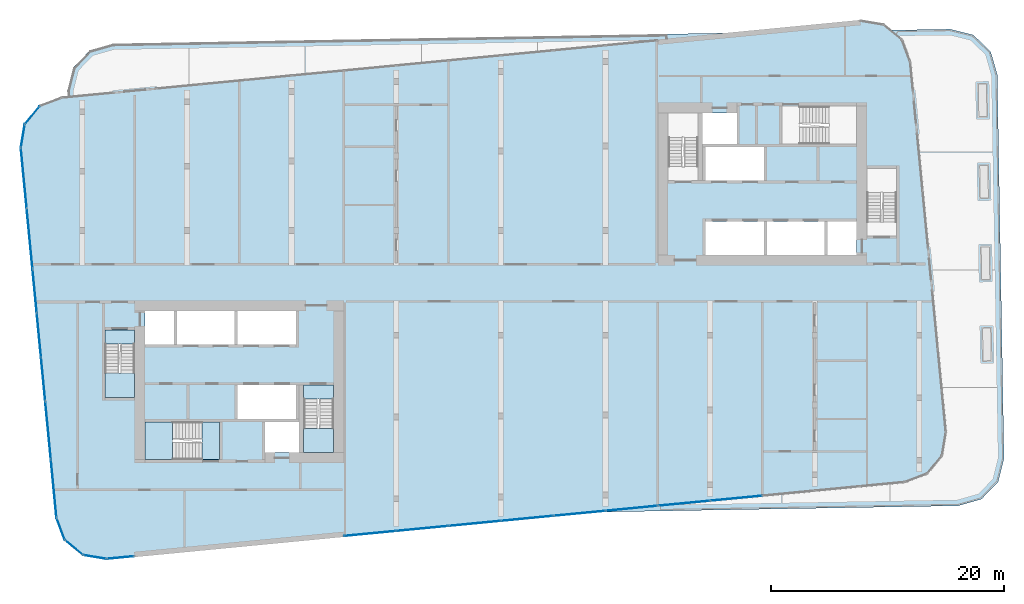
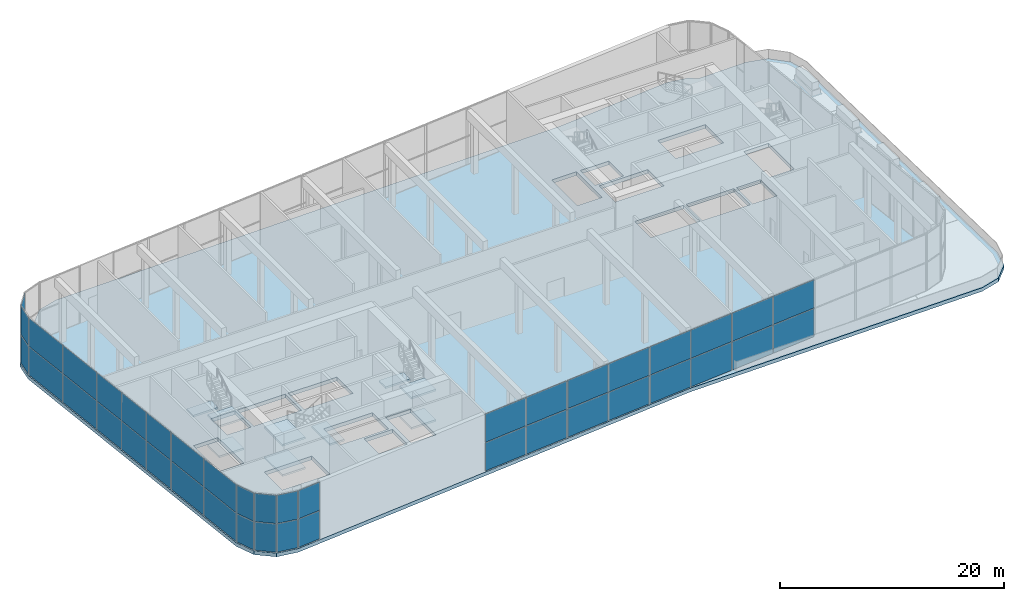
# One storey, part 9 of 24: 42 plates, 10 slabs, 16 elements without a shape of their own.
"""IFC4 building model written with IfcOpenShell, lengths in metres."""

from ifc_helpers import new_model, si_unit, direction, frame, origin, origin_2d, place, context, subcontext, project, spatial, polyline, rectangle, outline, extrude, material, layer, layer_set, type_object, element, aggregate, save


model = new_model("IFC4")

# Units and contexts
model_context = context("Model", 3, precision=1e-05, world=origin(), true_north=direction((0.0, 1.0)))
body_context = subcontext(model_context, "Body", "Model", "MODEL_VIEW")
ifc_project = project(units=[si_unit("LENGTHUNIT", "METRE"), si_unit("AREAUNIT", "SQUARE_METRE"), si_unit("VOLUMEUNIT", "CUBIC_METRE"), si_unit("PLANEANGLEUNIT", "RADIAN"), si_unit("MASSUNIT", "GRAM", prefix="KILO")], contexts=[model_context])

# Site, building, storey
site_placement = place(None, origin())
site = spatial("IfcSite", under=ifc_project, at=site_placement, CompositionType="ELEMENT")
building_placement = place(site_placement, origin())
building = spatial("IfcBuilding", under=site, at=building_placement, Name="Kajstack Hotel Tower", CompositionType="ELEMENT")
storey_placement = place(building_placement, frame((0.0, 0.0, 261.89990234375)))
storey = spatial("IfcBuildingStorey", under=building, at=storey_placement, Name="L65", CompositionType="ELEMENT", Elevation=261.89990234375)

# Curtain wall, plates
ifc_material_1 = material(Name="Aluminium-framed curtain wall, low-iron insulated glass", Category="aluminium")
curtain_wall_type = type_object("IfcCurtainWallType", Name="CW-GARDEN", PredefinedType="NOTDEFINED", material=ifc_material_1)
curtain_wall_1_placement = place(storey_placement, origin())
curtain_wall_1 = element("IfcCurtainWall", 1, at=curtain_wall_1_placement, inside=storey, type_object=curtain_wall_type, Name="Curtain wall CU6 L65-00-00-0", PredefinedType="NOTDEFINED")
ifc_material_2 = material(Name="Low-iron insulated glass", Category="glass")
ifc_layer_1 = layer(ifc_material_2, 0.0400390625)
ifc_layer_set_1 = layer_set([ifc_layer_1], Name="CW-P-GARDEN")
plate_type = type_object("IfcPlateType", Name="CW-P-GARDEN", PredefinedType="CURTAIN_PANEL", material=ifc_layer_set_1)
plate_1_placement = place(storey_placement, frame((-41.029052734375, 9.01953125, 0.06005859375), z_axis=(0.0, 0.0, 1.0), x_axis=(0.095846777958, -0.995396099628, 0.0)))
plate_1 = element("IfcPlate", 2, at=plate_1_placement, type_object=plate_type, Name="CU6 panel 1.1", PredefinedType="CURTAIN_PANEL", context=body_context, shape_type="SweptSolid", body=[
    extrude(rectangle(XDim=5.15234375, YDim=0.0400390625, at=origin_2d()), origin(), (0.0, 0.0, 1.0), 3.070068359375),
])
plate_2_placement = place(storey_placement, frame((-41.029052734375, 9.01953125, 3.18994140625), z_axis=(0.0, 0.0, 1.0), x_axis=(0.095846777958, -0.995396099628, 0.0)))
plate_2 = element("IfcPlate", 3, at=plate_2_placement, type_object=plate_type, Name="CU6 panel 1.2", PredefinedType="CURTAIN_PANEL", context=body_context, shape_type="SweptSolid", body=[
    extrude(rectangle(XDim=5.15234375, YDim=0.0400390625, at=origin_2d()), origin(), (0.0, 0.0, 1.0), 3.070068359375),
])
plate_3_placement = place(storey_placement, frame((-40.529296875, 3.8310546875, 0.06005859375), z_axis=(0.0, 0.0, 1.0), x_axis=(0.095846777958, -0.995396099628, 0.0)))
plate_3 = element("IfcPlate", 4, at=plate_3_placement, type_object=plate_type, Name="CU6 panel 2.1", PredefinedType="CURTAIN_PANEL", context=body_context, shape_type="SweptSolid", body=[
    extrude(rectangle(XDim=5.15234375, YDim=0.0400390625, at=origin_2d()), origin(), (0.0, 0.0, 1.0), 3.070068359375),
])
plate_4_placement = place(storey_placement, frame((-40.529296875, 3.8310546875, 3.18994140625), z_axis=(0.0, 0.0, 1.0), x_axis=(0.095846777958, -0.995396099628, 0.0)))
plate_4 = element("IfcPlate", 5, at=plate_4_placement, type_object=plate_type, Name="CU6 panel 2.2", PredefinedType="CURTAIN_PANEL", context=body_context, shape_type="SweptSolid", body=[
    extrude(rectangle(XDim=5.15234375, YDim=0.0400390625, at=origin_2d()), origin(), (0.0, 0.0, 1.0), 3.070068359375),
])
aggregate(curtain_wall_1, [plate_1, plate_2, plate_3, plate_4])

curtain_wall_2_placement = place(storey_placement, origin())
curtain_wall_2 = element("IfcCurtainWall", 6, at=curtain_wall_2_placement, inside=storey, type_object=curtain_wall_type, Name="Curtain wall CU6 L65-00-00-1", PredefinedType="NOTDEFINED")
plate_5_placement = place(storey_placement, frame((-40.09228515625, -0.707763671875, 0.06005859375), z_axis=(0.0, 0.0, 1.0), x_axis=(0.095846763, -0.995396101069, 0.0)))
plate_5 = element("IfcPlate", 7, at=plate_5_placement, type_object=plate_type, Name="CU6 panel 1.1", PredefinedType="CURTAIN_PANEL", context=body_context, shape_type="SweptSolid", body=[
    extrude(rectangle(XDim=3.7275390625, YDim=0.0400390625, at=origin_2d()), origin(), (0.0, 0.0, 1.0), 3.070068359375),
])
plate_6_placement = place(storey_placement, frame((-40.09228515625, -0.707763671875, 3.18994140625), z_axis=(0.0, 0.0, 1.0), x_axis=(0.095846763, -0.995396101069, 0.0)))
plate_6 = element("IfcPlate", 8, at=plate_6_placement, type_object=plate_type, Name="CU6 panel 1.2", PredefinedType="CURTAIN_PANEL", context=body_context, shape_type="SweptSolid", body=[
    extrude(rectangle(XDim=3.7275390625, YDim=0.0400390625, at=origin_2d()), origin(), (0.0, 0.0, 1.0), 3.070068359375),
])
plate_7_placement = place(storey_placement, frame((-39.727783203125, -4.492919921875, 0.06005859375), z_axis=(0.0, 0.0, 1.0), x_axis=(0.095846763, -0.995396101069, 0.0)))
plate_7 = element("IfcPlate", 9, at=plate_7_placement, type_object=plate_type, Name="CU6 panel 2.1", PredefinedType="CURTAIN_PANEL", context=body_context, shape_type="SweptSolid", body=[
    extrude(rectangle(XDim=3.757568359375, YDim=0.0400390625, at=origin_2d()), origin(), (0.0, 0.0, 1.0), 3.070068359375),
])
plate_8_placement = place(storey_placement, frame((-39.727783203125, -4.492919921875, 3.18994140625), z_axis=(0.0, 0.0, 1.0), x_axis=(0.095846763, -0.995396101069, 0.0)))
plate_8 = element("IfcPlate", 10, at=plate_8_placement, type_object=plate_type, Name="CU6 panel 2.2", PredefinedType="CURTAIN_PANEL", context=body_context, shape_type="SweptSolid", body=[
    extrude(rectangle(XDim=3.757568359375, YDim=0.0400390625, at=origin_2d()), origin(), (0.0, 0.0, 1.0), 3.070068359375),
])
plate_9_placement = place(storey_placement, frame((-39.363525390625, -8.27783203125, 0.06005859375), z_axis=(0.0, 0.0, 1.0), x_axis=(0.095846763, -0.995396101069, 0.0)))
plate_9 = element("IfcPlate", 11, at=plate_9_placement, type_object=plate_type, Name="CU6 panel 3.1", PredefinedType="CURTAIN_PANEL", context=body_context, shape_type="SweptSolid", body=[
    extrude(rectangle(XDim=3.7275390625, YDim=0.0400390625, at=origin_2d()), origin(), (0.0, 0.0, 1.0), 3.070068359375),
])
plate_10_placement = place(storey_placement, frame((-39.363525390625, -8.27783203125, 3.18994140625), z_axis=(0.0, 0.0, 1.0), x_axis=(0.095846763, -0.995396101069, 0.0)))
plate_10 = element("IfcPlate", 12, at=plate_10_placement, type_object=plate_type, Name="CU6 panel 3.2", PredefinedType="CURTAIN_PANEL", context=body_context, shape_type="SweptSolid", body=[
    extrude(rectangle(XDim=3.7275390625, YDim=0.0400390625, at=origin_2d()), origin(), (0.0, 0.0, 1.0), 3.070068359375),
])
aggregate(curtain_wall_2, [plate_5, plate_6, plate_7, plate_8, plate_9, plate_10])

curtain_wall_3_placement = place(storey_placement, origin())
curtain_wall_3 = element("IfcCurtainWall", 13, at=curtain_wall_3_placement, inside=storey, type_object=curtain_wall_type, Name="Curtain wall CU6 L65-00-00-2", PredefinedType="NOTDEFINED")
plate_11_placement = place(storey_placement, frame((-38.9365234375, -12.7119140625, 0.06005859375), z_axis=(0.0, 0.0, 1.0), x_axis=(0.0958468655, -0.995396091199, 0.0)))
plate_11 = element("IfcPlate", 14, at=plate_11_placement, type_object=plate_type, Name="CU6 panel 1.1", PredefinedType="CURTAIN_PANEL", context=body_context, shape_type="SweptSolid", body=[
    extrude(rectangle(XDim=4.94140625, YDim=0.0400390625, at=origin_2d()), origin(), (0.0, 0.0, 1.0), 3.070068359375),
])
plate_12_placement = place(storey_placement, frame((-38.9365234375, -12.7119140625, 3.18994140625), z_axis=(0.0, 0.0, 1.0), x_axis=(0.0958468655, -0.995396091199, 0.0)))
plate_12 = element("IfcPlate", 15, at=plate_12_placement, type_object=plate_type, Name="CU6 panel 1.2", PredefinedType="CURTAIN_PANEL", context=body_context, shape_type="SweptSolid", body=[
    extrude(rectangle(XDim=4.94140625, YDim=0.0400390625, at=origin_2d()), origin(), (0.0, 0.0, 1.0), 3.070068359375),
])
plate_13_placement = place(storey_placement, frame((-38.45703125, -17.690185546875, 0.06005859375), z_axis=(0.0, 0.0, 1.0), x_axis=(0.0958468655, -0.995396091199, 0.0)))
plate_13 = element("IfcPlate", 16, at=plate_13_placement, type_object=plate_type, Name="CU6 panel 2.1", PredefinedType="CURTAIN_PANEL", context=body_context, shape_type="SweptSolid", body=[
    extrude(rectangle(XDim=4.94140625, YDim=0.0400390625, at=origin_2d()), origin(), (0.0, 0.0, 1.0), 3.070068359375),
])
plate_14_placement = place(storey_placement, frame((-38.45703125, -17.690185546875, 3.18994140625), z_axis=(0.0, 0.0, 1.0), x_axis=(0.0958468655, -0.995396091199, 0.0)))
plate_14 = element("IfcPlate", 17, at=plate_14_placement, type_object=plate_type, Name="CU6 panel 2.2", PredefinedType="CURTAIN_PANEL", context=body_context, shape_type="SweptSolid", body=[
    extrude(rectangle(XDim=4.94140625, YDim=0.0400390625, at=origin_2d()), origin(), (0.0, 0.0, 1.0), 3.070068359375),
])
aggregate(curtain_wall_3, [plate_11, plate_12, plate_13, plate_14])

curtain_wall_4_placement = place(storey_placement, origin())
curtain_wall_4 = element("IfcCurtainWall", 18, at=curtain_wall_4_placement, inside=storey, type_object=curtain_wall_type, Name="Curtain wall CU6 L65-01-00-0", PredefinedType="NOTDEFINED")
plate_15_placement = place(storey_placement, frame((-37.8564453125, -21.159912109375, 0.06005859375), z_axis=(0.0, 0.0, 1.0), x_axis=(0.3502023187, -0.936674082046, 0.0)))
plate_15 = element("IfcPlate", 19, at=plate_15_placement, type_object=plate_type, Name="CU6 panel 1.1", PredefinedType="CURTAIN_PANEL", context=body_context, shape_type="SweptSolid", body=[
    extrude(rectangle(XDim=1.950439453125, YDim=0.0400390625, at=origin_2d()), origin(), (0.0, 0.0, 1.0), 3.070068359375),
])
plate_16_placement = place(storey_placement, frame((-37.8564453125, -21.159912109375, 3.18994140625), z_axis=(0.0, 0.0, 1.0), x_axis=(0.3502023187, -0.936674082046, 0.0)))
plate_16 = element("IfcPlate", 20, at=plate_16_placement, type_object=plate_type, Name="CU6 panel 1.2", PredefinedType="CURTAIN_PANEL", context=body_context, shape_type="SweptSolid", body=[
    extrude(rectangle(XDim=1.950439453125, YDim=0.0400390625, at=origin_2d()), origin(), (0.0, 0.0, 1.0), 3.070068359375),
])
aggregate(curtain_wall_4, [plate_15, plate_16])

curtain_wall_5_placement = place(storey_placement, origin())
curtain_wall_5 = element("IfcCurtainWall", 21, at=curtain_wall_5_placement, inside=storey, type_object=curtain_wall_type, Name="Curtain wall CU6 L65-02-00-0", PredefinedType="NOTDEFINED")
plate_17_placement = place(storey_placement, frame((-36.717529296875, -22.756591796875, 0.06005859375), z_axis=(0.0, 0.0, 1.0), x_axis=(0.771610892698, -0.636094828048, 0.0)))
plate_17 = element("IfcPlate", 22, at=plate_17_placement, type_object=plate_type, Name="CU6 panel 1.1", PredefinedType="CURTAIN_PANEL", context=body_context, shape_type="SweptSolid", body=[
    extrude(rectangle(XDim=1.95068359375, YDim=0.0400390625, at=origin_2d()), origin(), (0.0, 0.0, 1.0), 3.070068359375),
])
plate_18_placement = place(storey_placement, frame((-36.717529296875, -22.756591796875, 3.18994140625), z_axis=(0.0, 0.0, 1.0), x_axis=(0.771610892698, -0.636094828048, 0.0)))
plate_18 = element("IfcPlate", 23, at=plate_18_placement, type_object=plate_type, Name="CU6 panel 1.2", PredefinedType="CURTAIN_PANEL", context=body_context, shape_type="SweptSolid", body=[
    extrude(rectangle(XDim=1.95068359375, YDim=0.0400390625, at=origin_2d()), origin(), (0.0, 0.0, 1.0), 3.070068359375),
])
aggregate(curtain_wall_5, [plate_17, plate_18])

curtain_wall_6_placement = place(storey_placement, origin())
curtain_wall_6 = element("IfcCurtainWall", 24, at=curtain_wall_6_placement, inside=storey, type_object=curtain_wall_type, Name="Curtain wall CU6 L65-03-00-0", PredefinedType="NOTDEFINED")
plate_19_placement = place(storey_placement, frame((-34.932861328125, -23.56982421875, 0.06005859375), z_axis=(0.0, 0.0, 1.0), x_axis=(0.986287986954, -0.16503335054, 0.0)))
plate_19 = element("IfcPlate", 25, at=plate_19_placement, type_object=plate_type, Name="CU6 panel 1.1", PredefinedType="CURTAIN_PANEL", context=body_context, shape_type="SweptSolid", body=[
    extrude(rectangle(XDim=1.950439453125, YDim=0.0400390625, at=origin_2d()), origin(), (0.0, 0.0, 1.0), 3.070068359375),
])
plate_20_placement = place(storey_placement, frame((-34.932861328125, -23.56982421875, 3.18994140625), z_axis=(0.0, 0.0, 1.0), x_axis=(0.986287986954, -0.16503335054, 0.0)))
plate_20 = element("IfcPlate", 26, at=plate_20_placement, type_object=plate_type, Name="CU6 panel 1.2", PredefinedType="CURTAIN_PANEL", context=body_context, shape_type="SweptSolid", body=[
    extrude(rectangle(XDim=1.950439453125, YDim=0.0400390625, at=origin_2d()), origin(), (0.0, 0.0, 1.0), 3.070068359375),
])
aggregate(curtain_wall_6, [plate_19, plate_20])

curtain_wall_7_placement = place(storey_placement, origin())
curtain_wall_7 = element("IfcCurtainWall", 27, at=curtain_wall_7_placement, inside=storey, type_object=curtain_wall_type, Name="Curtain wall CU6 L65-04-00-0", PredefinedType="NOTDEFINED")
plate_21_placement = place(storey_placement, frame((-32.71923828125, -23.623291015625, 0.06005859375), z_axis=(0.0, 0.0, 1.0), x_axis=(0.995396166696, 0.095846081442, 0.0)))
plate_21 = element("IfcPlate", 28, at=plate_21_placement, type_object=plate_type, Name="CU6 panel 1.1", PredefinedType="CURTAIN_PANEL", context=body_context, shape_type="SweptSolid", body=[
    extrude(rectangle(XDim=2.3154296875, YDim=0.0400390625, at=origin_2d()), origin(), (0.0, 0.0, 1.0), 3.070068359375),
])
plate_22_placement = place(storey_placement, frame((-32.71923828125, -23.623291015625, 3.18994140625), z_axis=(0.0, 0.0, 1.0), x_axis=(0.995396166696, 0.095846081442, 0.0)))
plate_22 = element("IfcPlate", 29, at=plate_22_placement, type_object=plate_type, Name="CU6 panel 1.2", PredefinedType="CURTAIN_PANEL", context=body_context, shape_type="SweptSolid", body=[
    extrude(rectangle(XDim=2.3154296875, YDim=0.0400390625, at=origin_2d()), origin(), (0.0, 0.0, 1.0), 3.070068359375),
])
aggregate(curtain_wall_7, [plate_21, plate_22])

curtain_wall_8_placement = place(storey_placement, origin())
curtain_wall_8 = element("IfcCurtainWall", 30, at=curtain_wall_8_placement, inside=storey, type_object=curtain_wall_type, Name="Curtain wall CU6 L65-04-02-0", PredefinedType="NOTDEFINED")
plate_23_placement = place(storey_placement, frame((-11.2421875, -21.55517578125, 0.06005859375), z_axis=(0.0, 0.0, 1.0), x_axis=(0.995396139793, 0.095846360834, 0.0)))
plate_23 = element("IfcPlate", 31, at=plate_23_placement, type_object=plate_type, Name="CU6 panel 1.1", PredefinedType="CURTAIN_PANEL", context=body_context, shape_type="SweptSolid", body=[
    extrude(rectangle(XDim=4.430908203125, YDim=0.0400390625, at=origin_2d()), origin(), (0.0, 0.0, 1.0), 3.070068359375),
])
plate_24_placement = place(storey_placement, frame((-11.2421875, -21.55517578125, 3.18994140625), z_axis=(0.0, 0.0, 1.0), x_axis=(0.995396139793, 0.095846360834, 0.0)))
plate_24 = element("IfcPlate", 32, at=plate_24_placement, type_object=plate_type, Name="CU6 panel 1.2", PredefinedType="CURTAIN_PANEL", context=body_context, shape_type="SweptSolid", body=[
    extrude(rectangle(XDim=4.430908203125, YDim=0.0400390625, at=origin_2d()), origin(), (0.0, 0.0, 1.0), 3.070068359375),
])
plate_25_placement = place(storey_placement, frame((-6.772216796875, -21.124755859375, 0.06005859375), z_axis=(0.0, 0.0, 1.0), x_axis=(0.995396139793, 0.095846360834, 0.0)))
plate_25 = element("IfcPlate", 33, at=plate_25_placement, type_object=plate_type, Name="CU6 panel 2.1", PredefinedType="CURTAIN_PANEL", context=body_context, shape_type="SweptSolid", body=[
    extrude(rectangle(XDim=4.430908203125, YDim=0.0400390625, at=origin_2d()), origin(), (0.0, 0.0, 1.0), 3.070068359375),
])
plate_26_placement = place(storey_placement, frame((-6.772216796875, -21.124755859375, 3.18994140625), z_axis=(0.0, 0.0, 1.0), x_axis=(0.995396139793, 0.095846360834, 0.0)))
plate_26 = element("IfcPlate", 34, at=plate_26_placement, type_object=plate_type, Name="CU6 panel 2.2", PredefinedType="CURTAIN_PANEL", context=body_context, shape_type="SweptSolid", body=[
    extrude(rectangle(XDim=4.430908203125, YDim=0.0400390625, at=origin_2d()), origin(), (0.0, 0.0, 1.0), 3.070068359375),
])
aggregate(curtain_wall_8, [plate_23, plate_24, plate_25, plate_26])

curtain_wall_9_placement = place(storey_placement, origin())
curtain_wall_9 = element("IfcCurtainWall", 35, at=curtain_wall_9_placement, inside=storey, type_object=curtain_wall_type, Name="Curtain wall CU6 L65-04-02-1", PredefinedType="NOTDEFINED")
plate_27_placement = place(storey_placement, frame((-2.2421875, -20.688720703125, 0.06005859375), z_axis=(0.0, 0.0, 1.0), x_axis=(0.995396151361, 0.0958462407, 0.0)))
plate_27 = element("IfcPlate", 36, at=plate_27_placement, type_object=plate_type, Name="CU6 panel 1.1", PredefinedType="CURTAIN_PANEL", context=body_context, shape_type="SweptSolid", body=[
    extrude(rectangle(XDim=4.430908203125, YDim=0.0400390625, at=origin_2d()), origin(), (0.0, 0.0, 1.0), 3.070068359375),
])
plate_28_placement = place(storey_placement, frame((-2.2421875, -20.688720703125, 3.18994140625), z_axis=(0.0, 0.0, 1.0), x_axis=(0.995396151361, 0.0958462407, 0.0)))
plate_28 = element("IfcPlate", 37, at=plate_28_placement, type_object=plate_type, Name="CU6 panel 1.2", PredefinedType="CURTAIN_PANEL", context=body_context, shape_type="SweptSolid", body=[
    extrude(rectangle(XDim=4.430908203125, YDim=0.0400390625, at=origin_2d()), origin(), (0.0, 0.0, 1.0), 3.070068359375),
])
plate_29_placement = place(storey_placement, frame((2.227783203125, -20.258056640625, 0.06005859375), z_axis=(0.0, 0.0, 1.0), x_axis=(0.995396151361, 0.0958462407, 0.0)))
plate_29 = element("IfcPlate", 38, at=plate_29_placement, type_object=plate_type, Name="CU6 panel 2.1", PredefinedType="CURTAIN_PANEL", context=body_context, shape_type="SweptSolid", body=[
    extrude(rectangle(XDim=4.430908203125, YDim=0.0400390625, at=origin_2d()), origin(), (0.0, 0.0, 1.0), 3.070068359375),
])
plate_30_placement = place(storey_placement, frame((2.227783203125, -20.258056640625, 3.18994140625), z_axis=(0.0, 0.0, 1.0), x_axis=(0.995396151361, 0.0958462407, 0.0)))
plate_30 = element("IfcPlate", 39, at=plate_30_placement, type_object=plate_type, Name="CU6 panel 2.2", PredefinedType="CURTAIN_PANEL", context=body_context, shape_type="SweptSolid", body=[
    extrude(rectangle(XDim=4.430908203125, YDim=0.0400390625, at=origin_2d()), origin(), (0.0, 0.0, 1.0), 3.070068359375),
])
aggregate(curtain_wall_9, [plate_27, plate_28, plate_29, plate_30])

curtain_wall_10_placement = place(storey_placement, origin())
curtain_wall_10 = element("IfcCurtainWall", 40, at=curtain_wall_10_placement, inside=storey, type_object=curtain_wall_type, Name="Curtain wall CU6 L65-04-02-2", PredefinedType="NOTDEFINED")
plate_31_placement = place(storey_placement, frame((6.7578125, -19.822021484375, 0.06005859375), z_axis=(0.0, 0.0, 1.0), x_axis=(0.995396139793, 0.095846360834, 0.0)))
plate_31 = element("IfcPlate", 41, at=plate_31_placement, type_object=plate_type, Name="CU6 panel 1.1", PredefinedType="CURTAIN_PANEL", context=body_context, shape_type="SweptSolid", body=[
    extrude(rectangle(XDim=4.430908203125, YDim=0.0400390625, at=origin_2d()), origin(), (0.0, 0.0, 1.0), 3.070068359375),
])
plate_32_placement = place(storey_placement, frame((6.7578125, -19.822021484375, 3.18994140625), z_axis=(0.0, 0.0, 1.0), x_axis=(0.995396139793, 0.095846360834, 0.0)))
plate_32 = element("IfcPlate", 42, at=plate_32_placement, type_object=plate_type, Name="CU6 panel 1.2", PredefinedType="CURTAIN_PANEL", context=body_context, shape_type="SweptSolid", body=[
    extrude(rectangle(XDim=4.430908203125, YDim=0.0400390625, at=origin_2d()), origin(), (0.0, 0.0, 1.0), 3.070068359375),
])
plate_33_placement = place(storey_placement, frame((11.227783203125, -19.3916015625, 0.06005859375), z_axis=(0.0, 0.0, 1.0), x_axis=(0.995396139793, 0.095846360834, 0.0)))
plate_33 = element("IfcPlate", 43, at=plate_33_placement, type_object=plate_type, Name="CU6 panel 2.1", PredefinedType="CURTAIN_PANEL", context=body_context, shape_type="SweptSolid", body=[
    extrude(rectangle(XDim=4.430908203125, YDim=0.0400390625, at=origin_2d()), origin(), (0.0, 0.0, 1.0), 3.070068359375),
])
plate_34_placement = place(storey_placement, frame((11.227783203125, -19.3916015625, 3.18994140625), z_axis=(0.0, 0.0, 1.0), x_axis=(0.995396139793, 0.095846360834, 0.0)))
plate_34 = element("IfcPlate", 44, at=plate_34_placement, type_object=plate_type, Name="CU6 panel 2.2", PredefinedType="CURTAIN_PANEL", context=body_context, shape_type="SweptSolid", body=[
    extrude(rectangle(XDim=4.430908203125, YDim=0.0400390625, at=origin_2d()), origin(), (0.0, 0.0, 1.0), 3.070068359375),
])
aggregate(curtain_wall_10, [plate_31, plate_32, plate_33, plate_34])

curtain_wall_11_placement = place(storey_placement, origin())
curtain_wall_11 = element("IfcCurtainWall", 45, at=curtain_wall_11_placement, inside=storey, type_object=curtain_wall_type, Name="Curtain wall CU6 L65-04-02-3", PredefinedType="NOTDEFINED")
plate_35_placement = place(storey_placement, frame((15.757568359375, -18.955322265625, 0.06005859375), z_axis=(0.0, 0.0, 1.0), x_axis=(0.99539615159, 0.09584623832, 0.0)))
plate_35 = element("IfcPlate", 46, at=plate_35_placement, type_object=plate_type, Name="CU6 panel 1.1", PredefinedType="CURTAIN_PANEL", context=body_context, shape_type="SweptSolid", body=[
    extrude(rectangle(XDim=4.430908203125, YDim=0.0400390625, at=origin_2d()), origin(), (0.0, 0.0, 1.0), 3.070068359375),
])
plate_36_placement = place(storey_placement, frame((15.757568359375, -18.955322265625, 3.18994140625), z_axis=(0.0, 0.0, 1.0), x_axis=(0.99539615159, 0.09584623832, 0.0)))
plate_36 = element("IfcPlate", 47, at=plate_36_placement, type_object=plate_type, Name="CU6 panel 1.2", PredefinedType="CURTAIN_PANEL", context=body_context, shape_type="SweptSolid", body=[
    extrude(rectangle(XDim=4.430908203125, YDim=0.0400390625, at=origin_2d()), origin(), (0.0, 0.0, 1.0), 3.070068359375),
])
plate_37_placement = place(storey_placement, frame((20.24267578125, -18.5234375, 0.06005859375), z_axis=(0.0, 0.0, 1.0), x_axis=(0.99539615159, 0.09584623832, 0.0)))
plate_37 = element("IfcPlate", 48, at=plate_37_placement, type_object=plate_type, Name="CU6 panel 2.1", PredefinedType="CURTAIN_PANEL", context=body_context, shape_type="SweptSolid", body=[
    extrude(rectangle(XDim=4.4609375, YDim=0.0400390625, at=origin_2d()), origin(), (0.0, 0.0, 1.0), 3.070068359375),
])
plate_38_placement = place(storey_placement, frame((20.24267578125, -18.5234375, 3.18994140625), z_axis=(0.0, 0.0, 1.0), x_axis=(0.99539615159, 0.09584623832, 0.0)))
plate_38 = element("IfcPlate", 49, at=plate_38_placement, type_object=plate_type, Name="CU6 panel 2.2", PredefinedType="CURTAIN_PANEL", context=body_context, shape_type="SweptSolid", body=[
    extrude(rectangle(XDim=4.4609375, YDim=0.0400390625, at=origin_2d()), origin(), (0.0, 0.0, 1.0), 3.070068359375),
])
aggregate(curtain_wall_11, [plate_35, plate_36, plate_37, plate_38])

curtain_wall_12_placement = place(storey_placement, origin())
curtain_wall_12 = element("IfcCurtainWall", 50, at=curtain_wall_12_placement, inside=storey, type_object=curtain_wall_type, Name="Curtain wall CU6 L65-14-00-0", PredefinedType="NOTDEFINED")
plate_39_placement = place(storey_placement, frame((-40.298095703125, 14.429443359375, 0.06005859375), z_axis=(0.0, 0.0, 1.0), x_axis=(-0.636066072627, -0.771634596978, 0.0)))
plate_39 = element("IfcPlate", 51, at=plate_39_placement, type_object=plate_type, Name="CU6 panel 1.1", PredefinedType="CURTAIN_PANEL", context=body_context, shape_type="SweptSolid", body=[
    extrude(rectangle(XDim=1.950439453125, YDim=0.0400390625, at=origin_2d()), origin(), (0.0, 0.0, 1.0), 3.070068359375),
])
plate_40_placement = place(storey_placement, frame((-40.298095703125, 14.429443359375, 3.18994140625), z_axis=(0.0, 0.0, 1.0), x_axis=(-0.636066072627, -0.771634596978, 0.0)))
plate_40 = element("IfcPlate", 52, at=plate_40_placement, type_object=plate_type, Name="CU6 panel 1.2", PredefinedType="CURTAIN_PANEL", context=body_context, shape_type="SweptSolid", body=[
    extrude(rectangle(XDim=1.950439453125, YDim=0.0400390625, at=origin_2d()), origin(), (0.0, 0.0, 1.0), 3.070068359375),
])
aggregate(curtain_wall_12, [plate_39, plate_40])

curtain_wall_13_placement = place(storey_placement, origin())
curtain_wall_13 = element("IfcCurtainWall", 53, at=curtain_wall_13_placement, inside=storey, type_object=curtain_wall_type, Name="Curtain wall CU6 L65-15-00-0", PredefinedType="NOTDEFINED")
plate_41_placement = place(storey_placement, frame((-41.111328125, 12.64501953125, 0.06005859375), z_axis=(0.0, 0.0, 1.0), x_axis=(-0.165080332276, -0.986280124455, 0.0)))
plate_41 = element("IfcPlate", 54, at=plate_41_placement, type_object=plate_type, Name="CU6 panel 1.1", PredefinedType="CURTAIN_PANEL", context=body_context, shape_type="SweptSolid", body=[
    extrude(rectangle(XDim=1.950439453125, YDim=0.0400390625, at=origin_2d()), origin(), (0.0, 0.0, 1.0), 3.070068359375),
])
plate_42_placement = place(storey_placement, frame((-41.111328125, 12.64501953125, 3.18994140625), z_axis=(0.0, 0.0, 1.0), x_axis=(-0.165080332276, -0.986280124455, 0.0)))
plate_42 = element("IfcPlate", 55, at=plate_42_placement, type_object=plate_type, Name="CU6 panel 1.2", PredefinedType="CURTAIN_PANEL", context=body_context, shape_type="SweptSolid", body=[
    extrude(rectangle(XDim=1.950439453125, YDim=0.0400390625, at=origin_2d()), origin(), (0.0, 0.0, 1.0), 3.070068359375),
])
aggregate(curtain_wall_13, [plate_41, plate_42])

# Slab
ifc_material_3 = material(Name="Concrete C50/60", Category="concrete")
ifc_layer_2 = layer(ifc_material_3, 0.39990234375)
ifc_layer_set_2 = layer_set([ifc_layer_2], Name="RC slab 400 C50/60 garden")
slab_type_1 = type_object("IfcSlabType", Name="RC slab 400 C50/60 garden", PredefinedType="FLOOR", material=ifc_layer_set_2)
slab_1_placement = place(storey_placement, frame((0.0, 0.0, -0.39990234375)))
element("IfcSlab", 56, at=slab_1_placement, inside=storey, type_object=slab_type_1, Name="S-slab-L65", PredefinedType="FLOOR", context=body_context, shape_type="SweptSolid", body=[
    extrude(outline(polyline([(-33.92431640625, -23.814697265625), (-35.96630859375, -23.472900390625), (-37.564208984375, -22.15576171875), (-38.289306640625, -20.21630859375), (-41.356201171875, 11.63623046875), (-41.014404296875, 13.678466796875), (-39.697509765625, 15.276123046875), (-37.758056640625, 16.001220703125), (-37.27392578125, 16.0478515625), (-37.281982421875, 16.49951171875), (-36.781005859375, 18.50830078125), (-35.342529296875, 19.997802734375), (-33.352294921875, 20.568603515625), (19.203125, 21.486083984375), (30.92431640625, 22.614501953125), (32.96630859375, 22.27294921875), (33.61572265625, 21.737548828125), (38.63671875, 21.8251953125), (40.645751953125, 21.32421875), (42.13525390625, 19.885986328125), (42.705810546875, 17.8955078125), (43.281982421875, -15.099365234375), (42.781005859375, -17.1083984375), (41.342529296875, -18.597900390625), (39.352294921875, -19.168701171875), (8.78466796875, -19.7021484375), (-33.92431640625, -23.814697265625)]), holes=[polyline([(-22.64990234375, -11.699951171875), (-22.64990234375, -8.800048828125), (-17.60009765625, -8.800048828125), (-17.60009765625, -11.699951171875), (-22.64990234375, -11.699951171875)]), polyline([(-27.85009765625, -5.300048828125), (-27.85009765625, -2.39990234375), (-22.89990234375, -2.39990234375), (-22.89990234375, -5.300048828125), (-27.85009765625, -5.300048828125)]), polyline([(-22.64990234375, -5.300048828125), (-22.64990234375, -2.39990234375), (-17.60009765625, -2.39990234375), (-17.60009765625, -5.300048828125), (-22.64990234375, -5.300048828125)]), polyline([(-20.300048828125, -14.60009765625), (-17.35009765625, -14.60009765625), (-17.35009765625, -11.949951171875), (-20.300048828125, -11.949951171875), (-20.300048828125, -14.60009765625)]), polyline([(-30.60009765625, -5.300048828125), (-28.10009765625, -5.300048828125), (-28.10009765625, -2.39990234375), (-30.60009765625, -2.39990234375), (-30.60009765625, -5.300048828125)]), polyline([(17.60009765625, 8.800048828125), (17.60009765625, 11.699951171875), (22.64990234375, 11.699951171875), (22.64990234375, 8.800048828125), (17.60009765625, 8.800048828125)]), polyline([(22.89990234375, 2.39990234375), (22.89990234375, 5.300048828125), (27.85009765625, 5.300048828125), (27.85009765625, 2.39990234375), (22.89990234375, 2.39990234375)]), polyline([(17.60009765625, 2.39990234375), (17.60009765625, 5.300048828125), (22.64990234375, 5.300048828125), (22.64990234375, 2.39990234375), (17.60009765625, 2.39990234375)]), polyline([(20.300048828125, 14.60009765625), (17.35009765625, 14.60009765625), (17.35009765625, 11.949951171875), (20.300048828125, 11.949951171875), (20.300048828125, 14.60009765625)]), polyline([(30.60009765625, 5.300048828125), (28.10009765625, 5.300048828125), (28.10009765625, 2.39990234375), (30.60009765625, 2.39990234375), (30.60009765625, 5.300048828125)]), polyline([(-34.050048828125, -9.85009765625), (-31.5, -9.85009765625), (-31.5, -5.25), (-34.050048828125, -5.25), (-34.050048828125, -9.85009765625)]), polyline([(-16.949951171875, -14.60009765625), (-14.39990234375, -14.60009765625), (-14.39990234375, -10.0), (-16.949951171875, -10.0), (-16.949951171875, -14.60009765625)]), polyline([(-30.60009765625, -15.199951171875), (-25.699951171875, -15.199951171875), (-25.699951171875, -11.949951171875), (-30.60009765625, -11.949951171875), (-30.60009765625, -15.199951171875)]), polyline([(34.050048828125, 9.85009765625), (31.5, 9.85009765625), (31.5, 5.25), (34.050048828125, 5.25), (34.050048828125, 9.85009765625)]), polyline([(16.949951171875, 14.60009765625), (14.39990234375, 14.60009765625), (14.39990234375, 10.0), (16.949951171875, 10.0), (16.949951171875, 14.60009765625)]), polyline([(30.60009765625, 15.199951171875), (25.699951171875, 15.199951171875), (25.699951171875, 11.949951171875), (30.60009765625, 11.949951171875), (30.60009765625, 15.199951171875)])]), origin(), (0.0, 0.0, 1.0), 0.39990234375),
])

# Stair, slabs
ifc_material_4 = material(Name="Concrete C40/50", Category="concrete")
stair_type_1 = type_object("IfcStairType", Name="Exit stair 1200", PredefinedType="HALF_TURN_STAIR", material=ifc_material_4)
stair_1_placement = place(storey_placement, origin())
stair_1 = element("IfcStair", 57, at=stair_1_placement, inside=storey, type_object=stair_type_1, Name="L65 stair W1", PredefinedType="HALF_TURN_STAIR")
ifc_layer_3 = layer(ifc_material_4, 0.199951171875)
ifc_layer_set_3 = layer_set([ifc_layer_3], Name="Stair landing 200")
slab_type_2 = type_object("IfcSlabType", Name="Stair landing 200", PredefinedType="LANDING", material=ifc_layer_set_3)
slab_2_placement = place(storey_placement, frame((0.0, 0.0, 1.4501953125)))
slab_2 = element("IfcSlab", 58, at=slab_2_placement, type_object=slab_type_2, Name="W1 landing 1", PredefinedType="LANDING", context=body_context, shape_type="SweptSolid", body=[
    extrude(outline(polyline([(-34.050048828125, -7.77001953125), (-34.050048828125, -9.85009765625), (-31.5, -9.85009765625), (-31.5, -7.77001953125), (-34.050048828125, -7.77001953125)])), origin(), (0.0, 0.0, 1.0), 0.199951171875),
])
slab_3_placement = place(storey_placement, frame((0.0, 0.0, 3.10009765625)))
slab_3 = element("IfcSlab", 59, at=slab_3_placement, type_object=slab_type_2, Name="W1 landing 2", PredefinedType="LANDING", context=body_context, shape_type="SweptSolid", body=[
    extrude(outline(polyline([(-34.050048828125, -4.050048828125), (-34.050048828125, -5.25), (-31.5, -5.25), (-31.5, -4.050048828125), (-34.050048828125, -4.050048828125)])), origin(), (0.0, 0.0, 1.0), 0.199951171875),
])
slab_4_placement = place(storey_placement, frame((0.0, 0.0, 4.75)))
slab_4 = element("IfcSlab", 60, at=slab_4_placement, type_object=slab_type_2, Name="W1 landing 3", PredefinedType="LANDING", context=body_context, shape_type="SweptSolid", body=[
    extrude(outline(polyline([(-34.050048828125, -7.77001953125), (-34.050048828125, -9.85009765625), (-31.5, -9.85009765625), (-31.5, -7.77001953125), (-34.050048828125, -7.77001953125)])), origin(), (0.0, 0.0, 1.0), 0.2001953125),
])
aggregate(stair_1, [slab_2, slab_3, slab_4])

stair_2_placement = place(storey_placement, origin())
stair_2 = element("IfcStair", 61, at=stair_2_placement, inside=storey, type_object=stair_type_1, Name="L65 stair W2", PredefinedType="HALF_TURN_STAIR")
slab_5_placement = place(storey_placement, frame((0.0, 0.0, 1.4501953125)))
slab_5 = element("IfcSlab", 62, at=slab_5_placement, type_object=slab_type_2, Name="W2 landing 1", PredefinedType="LANDING", context=body_context, shape_type="SweptSolid", body=[
    extrude(outline(polyline([(-16.949951171875, -12.52001953125), (-16.949951171875, -14.60009765625), (-14.39990234375, -14.60009765625), (-14.39990234375, -12.52001953125), (-16.949951171875, -12.52001953125)])), origin(), (0.0, 0.0, 1.0), 0.199951171875),
])
slab_6_placement = place(storey_placement, frame((0.0, 0.0, 3.10009765625)))
slab_6 = element("IfcSlab", 63, at=slab_6_placement, type_object=slab_type_2, Name="W2 landing 2", PredefinedType="LANDING", context=body_context, shape_type="SweptSolid", body=[
    extrude(outline(polyline([(-16.949951171875, -8.800048828125), (-16.949951171875, -10.0), (-14.39990234375, -10.0), (-14.39990234375, -8.800048828125), (-16.949951171875, -8.800048828125)])), origin(), (0.0, 0.0, 1.0), 0.199951171875),
])
slab_7_placement = place(storey_placement, frame((0.0, 0.0, 4.75)))
slab_7 = element("IfcSlab", 64, at=slab_7_placement, type_object=slab_type_2, Name="W2 landing 3", PredefinedType="LANDING", context=body_context, shape_type="SweptSolid", body=[
    extrude(outline(polyline([(-16.949951171875, -12.52001953125), (-16.949951171875, -14.60009765625), (-14.39990234375, -14.60009765625), (-14.39990234375, -12.52001953125), (-16.949951171875, -12.52001953125)])), origin(), (0.0, 0.0, 1.0), 0.2001953125),
])
aggregate(stair_2, [slab_5, slab_6, slab_7])

stair_type_2 = type_object("IfcStairType", Name="Exit stair 1500", PredefinedType="HALF_TURN_STAIR", material=ifc_material_4)
stair_3_placement = place(storey_placement, origin())
stair_3 = element("IfcStair", 65, at=stair_3_placement, inside=storey, type_object=stair_type_2, Name="L65 stair W3", PredefinedType="HALF_TURN_STAIR")
slab_8_placement = place(storey_placement, frame((0.0, 0.0, 1.4501953125)))
slab_8 = element("IfcSlab", 66, at=slab_8_placement, type_object=slab_type_2, Name="W3 landing 1", PredefinedType="LANDING", context=body_context, shape_type="SweptSolid", body=[
    extrude(outline(polyline([(-28.219970703125, -11.949951171875), (-30.60009765625, -11.949951171875), (-30.60009765625, -15.199951171875), (-28.219970703125, -15.199951171875), (-28.219970703125, -11.949951171875)])), origin(), (0.0, 0.0, 1.0), 0.199951171875),
])
slab_9_placement = place(storey_placement, frame((0.0, 0.0, 3.10009765625)))
slab_9 = element("IfcSlab", 67, at=slab_9_placement, type_object=slab_type_2, Name="W3 landing 2", PredefinedType="LANDING", context=body_context, shape_type="SweptSolid", body=[
    extrude(outline(polyline([(-24.199951171875, -11.949951171875), (-25.699951171875, -11.949951171875), (-25.699951171875, -15.199951171875), (-24.199951171875, -15.199951171875), (-24.199951171875, -11.949951171875)])), origin(), (0.0, 0.0, 1.0), 0.199951171875),
])
slab_10_placement = place(storey_placement, frame((0.0, 0.0, 4.75)))
slab_10 = element("IfcSlab", 68, at=slab_10_placement, type_object=slab_type_2, Name="W3 landing 3", PredefinedType="LANDING", context=body_context, shape_type="SweptSolid", body=[
    extrude(outline(polyline([(-28.219970703125, -11.949951171875), (-30.60009765625, -11.949951171875), (-30.60009765625, -15.199951171875), (-28.219970703125, -15.199951171875), (-28.219970703125, -11.949951171875)])), origin(), (0.0, 0.0, 1.0), 0.2001953125),
])
aggregate(stair_3, [slab_8, slab_9, slab_10])

save(model, "model.ifc")
